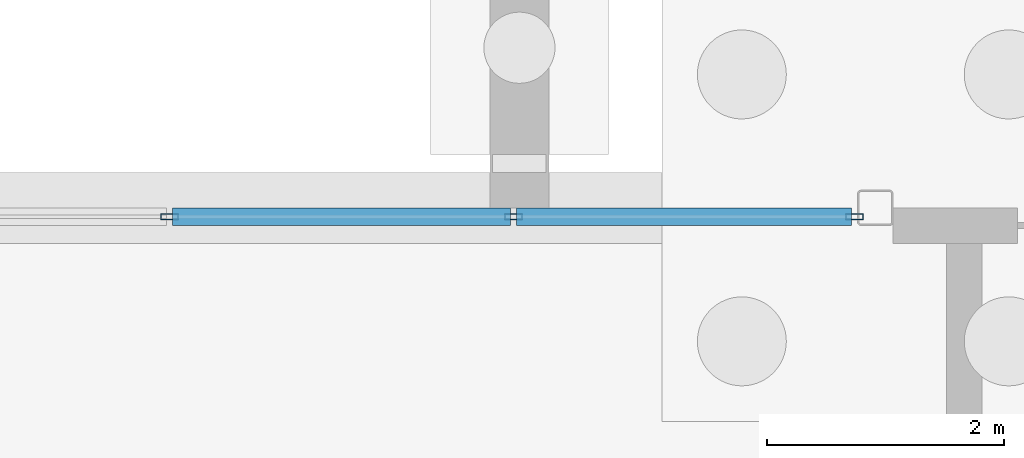
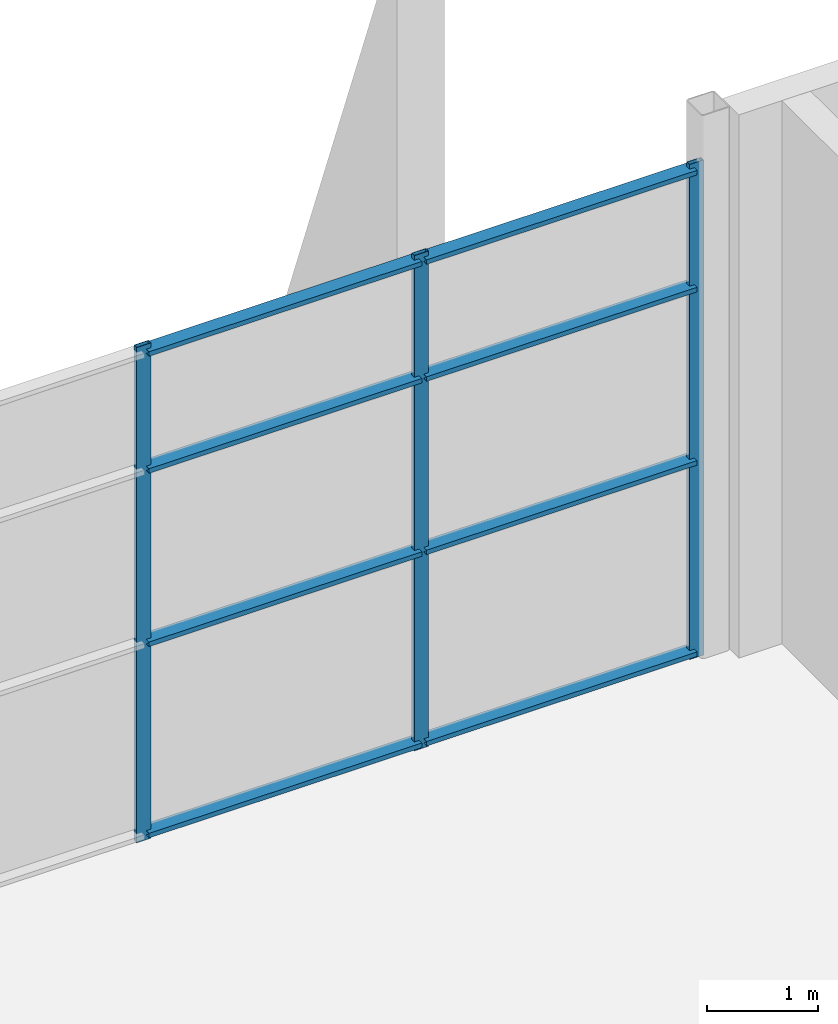
# One storey, part 89 of 139: 11 members, 1 element without a shape of its own.
"""IFC4 building model written with IfcOpenShell, lengths in metres."""

from ifc_helpers import new_model, si_unit, direction, frame, origin, origin_2d, place, context, subcontext, project, spatial, hollow_rectangle, extrude, material, layer, layer_set, material_profile, profile_set, type_object, element, aggregate, save


model = new_model("IFC4")

# Units and contexts
model_context = context("Model", 3, precision=1e-05, world=origin(), true_north=direction((0.0, 1.0)))
body_context = subcontext(model_context, "Body", "Model", "MODEL_VIEW")
ifc_project = project(units=[si_unit("LENGTHUNIT", "METRE"), si_unit("AREAUNIT", "SQUARE_METRE"), si_unit("VOLUMEUNIT", "CUBIC_METRE"), si_unit("PLANEANGLEUNIT", "RADIAN"), si_unit("MASSUNIT", "GRAM", prefix="KILO")], contexts=[model_context])

# Site, building, storey
site_placement = place(None, origin())
site = spatial("IfcSite", under=ifc_project, at=site_placement, CompositionType="ELEMENT")
building_placement = place(site_placement, origin())
building = spatial("IfcBuilding", under=site, at=building_placement, Name="Shorebreak Coast Museum", CompositionType="ELEMENT")
storey_placement = place(building_placement, origin())
storey = spatial("IfcBuildingStorey", under=building, at=storey_placement, Name="L00", CompositionType="ELEMENT", Elevation=0.0)

# Curtain wall, members
ifc_material_1 = material(Name="Aluminium", Category="aluminium")
ifc_layer = layer(ifc_material_1, 0.14990234375)
ifc_layer_set = layer_set([ifc_layer], Name="Aluminium")
curtain_wall_type = type_object("IfcCurtainWallType", Name="Storefront curtain wall", PredefinedType="NOTDEFINED", material=ifc_layer_set)
curtain_wall_placement = place(storey_placement, origin())
curtain_wall = element("IfcCurtainWall", 1, at=curtain_wall_placement, inside=storey, type_object=curtain_wall_type, Name="Storefront L00 N 6", PredefinedType="NOTDEFINED")
ifc_material_2 = material(Name="Aluminium", Category="aluminium")
ifc_material_profile_1 = material_profile(ifc_material_2, hollow_rectangle(XDim=0.050048828125, YDim=0.14990234375, WallThickness=0.00390625, at=origin_2d()), Name="AL 150x50 RHS")
ifc_profile_set_1 = profile_set([ifc_material_profile_1], Name="Aluminium")
member_type_1 = type_object("IfcMemberType", Name="Storefront mullion 50 x 150", PredefinedType="MULLION", material=ifc_profile_set_1)
member_1_placement = place(storey_placement, frame((156.050048828125, 89.925048828125, 0.0), z_axis=(0.0, 0.0, 1.0), x_axis=(0.0, 1.0, 0.0)))
member_1 = element("IfcMember", 2, at=member_1_placement, type_object=member_type_1, Name="CW8 mullion 2", PredefinedType="MULLION", context=body_context, shape_type="SweptSolid", body=[
    extrude(hollow_rectangle(XDim=0.050048828125, YDim=0.14990234375, WallThickness=0.00390625, at=origin_2d()), origin(), (0.0, 0.0, 1.0), 5.469482421875),
])
member_2_placement = place(storey_placement, frame((158.949951171875, 89.925048828125, 0.0), z_axis=(0.0, 0.0, 1.0), x_axis=(0.0, 1.0, 0.0)))
member_2 = element("IfcMember", 3, at=member_2_placement, type_object=member_type_1, Name="CW8 mullion 3", PredefinedType="MULLION", context=body_context, shape_type="SweptSolid", body=[
    extrude(hollow_rectangle(XDim=0.050048828125, YDim=0.14990234375, WallThickness=0.00390625, at=origin_2d()), origin(), (0.0, 0.0, 1.0), 5.469482421875),
])
member_3_placement = place(storey_placement, frame((161.824951171875, 89.925048828125, 0.0), z_axis=(0.0, 0.0, 1.0), x_axis=(0.0, 1.0, 0.0)))
member_3 = element("IfcMember", 4, at=member_3_placement, type_object=member_type_1, Name="CW8 mullion 4", PredefinedType="MULLION", context=body_context, shape_type="SweptSolid", body=[
    extrude(hollow_rectangle(XDim=0.050048828125, YDim=0.14990234375, WallThickness=0.00390625, at=origin_2d()), origin(), (0.0, 0.0, 1.0), 5.469482421875),
])
ifc_material_3 = material(Name="Aluminium", Category="aluminium")
ifc_material_profile_2 = material_profile(ifc_material_3, hollow_rectangle(XDim=0.14990234375, YDim=0.050048828125, WallThickness=0.00390625, at=origin_2d()), Name="AL 50x150 RHS")
ifc_profile_set_2 = profile_set([ifc_material_profile_2], Name="Aluminium")
member_type_2 = type_object("IfcMemberType", Name="Storefront transom 150 x 50", PredefinedType="USERDEFINED", material=ifc_profile_set_2)
member_4_placement = place(storey_placement, frame((156.074951171875, 89.925048828125, 0.074951171875), z_axis=(1.0, 0.0, 0.0), x_axis=(0.0, 1.0, 0.0)))
member_4 = element("IfcMember", 5, at=member_4_placement, type_object=member_type_2, Name="CW8 transom 2.1", ObjectType="TRANSOM", PredefinedType="USERDEFINED", context=body_context, shape_type="SweptSolid", body=[
    extrude(hollow_rectangle(XDim=0.14990234375, YDim=0.050048828125, WallThickness=0.00390625, at=origin_2d()), origin(), (0.0, 0.0, 1.0), 2.85009765625),
])
member_5_placement = place(storey_placement, frame((156.074951171875, 89.925048828125, 2.187744140625), z_axis=(1.0, 0.0, 0.0), x_axis=(0.0, 1.0, 0.0)))
member_5 = element("IfcMember", 6, at=member_5_placement, type_object=member_type_2, Name="CW8 transom 2.2", ObjectType="TRANSOM", PredefinedType="USERDEFINED", context=body_context, shape_type="SweptSolid", body=[
    extrude(hollow_rectangle(XDim=0.14990234375, YDim=0.050048828125, WallThickness=0.00390625, at=origin_2d()), origin(), (0.0, 0.0, 1.0), 2.85009765625),
])
member_6_placement = place(storey_placement, frame((156.074951171875, 89.925048828125, 4.10205078125), z_axis=(1.0, 0.0, 0.0), x_axis=(0.0, 1.0, 0.0)))
member_6 = element("IfcMember", 7, at=member_6_placement, type_object=member_type_2, Name="CW8 transom 2.3", ObjectType="TRANSOM", PredefinedType="USERDEFINED", context=body_context, shape_type="SweptSolid", body=[
    extrude(hollow_rectangle(XDim=0.14990234375, YDim=0.050048828125, WallThickness=0.00390625, at=origin_2d()), origin(), (0.0, 0.0, 1.0), 2.85009765625),
])
member_7_placement = place(storey_placement, frame((156.074951171875, 89.925048828125, 5.394287109375), z_axis=(1.0, 0.0, 0.0), x_axis=(0.0, 1.0, 0.0)))
member_7 = element("IfcMember", 8, at=member_7_placement, type_object=member_type_2, Name="CW8 transom 2.4", ObjectType="TRANSOM", PredefinedType="USERDEFINED", context=body_context, shape_type="SweptSolid", body=[
    extrude(hollow_rectangle(XDim=0.14990234375, YDim=0.050048828125, WallThickness=0.00390625, at=origin_2d()), origin(), (0.0, 0.0, 1.0), 2.85009765625),
])
member_8_placement = place(storey_placement, frame((158.97509765625, 89.925048828125, 0.074951171875), z_axis=(1.0, 0.0, 0.0), x_axis=(0.0, 1.0, 0.0)))
member_8 = element("IfcMember", 9, at=member_8_placement, type_object=member_type_2, Name="CW8 transom 3.1", ObjectType="TRANSOM", PredefinedType="USERDEFINED", context=body_context, shape_type="SweptSolid", body=[
    extrude(hollow_rectangle(XDim=0.14990234375, YDim=0.050048828125, WallThickness=0.00390625, at=origin_2d()), origin(), (0.0, 0.0, 1.0), 2.824951171875),
])
member_9_placement = place(storey_placement, frame((158.97509765625, 89.925048828125, 2.187744140625), z_axis=(1.0, 0.0, 0.0), x_axis=(0.0, 1.0, 0.0)))
member_9 = element("IfcMember", 10, at=member_9_placement, type_object=member_type_2, Name="CW8 transom 3.2", ObjectType="TRANSOM", PredefinedType="USERDEFINED", context=body_context, shape_type="SweptSolid", body=[
    extrude(hollow_rectangle(XDim=0.14990234375, YDim=0.050048828125, WallThickness=0.00390625, at=origin_2d()), origin(), (0.0, 0.0, 1.0), 2.824951171875),
])
member_10_placement = place(storey_placement, frame((158.97509765625, 89.925048828125, 4.10205078125), z_axis=(1.0, 0.0, 0.0), x_axis=(0.0, 1.0, 0.0)))
member_10 = element("IfcMember", 11, at=member_10_placement, type_object=member_type_2, Name="CW8 transom 3.3", ObjectType="TRANSOM", PredefinedType="USERDEFINED", context=body_context, shape_type="SweptSolid", body=[
    extrude(hollow_rectangle(XDim=0.14990234375, YDim=0.050048828125, WallThickness=0.00390625, at=origin_2d()), origin(), (0.0, 0.0, 1.0), 2.824951171875),
])
member_11_placement = place(storey_placement, frame((158.97509765625, 89.925048828125, 5.394287109375), z_axis=(1.0, 0.0, 0.0), x_axis=(0.0, 1.0, 0.0)))
member_11 = element("IfcMember", 12, at=member_11_placement, type_object=member_type_2, Name="CW8 transom 3.4", ObjectType="TRANSOM", PredefinedType="USERDEFINED", context=body_context, shape_type="SweptSolid", body=[
    extrude(hollow_rectangle(XDim=0.14990234375, YDim=0.050048828125, WallThickness=0.00390625, at=origin_2d()), origin(), (0.0, 0.0, 1.0), 2.824951171875),
])
aggregate(curtain_wall, [member_1, member_2, member_3, member_4, member_5, member_6, member_7, member_8, member_9, member_10, member_11])

save(model, "model.ifc")
